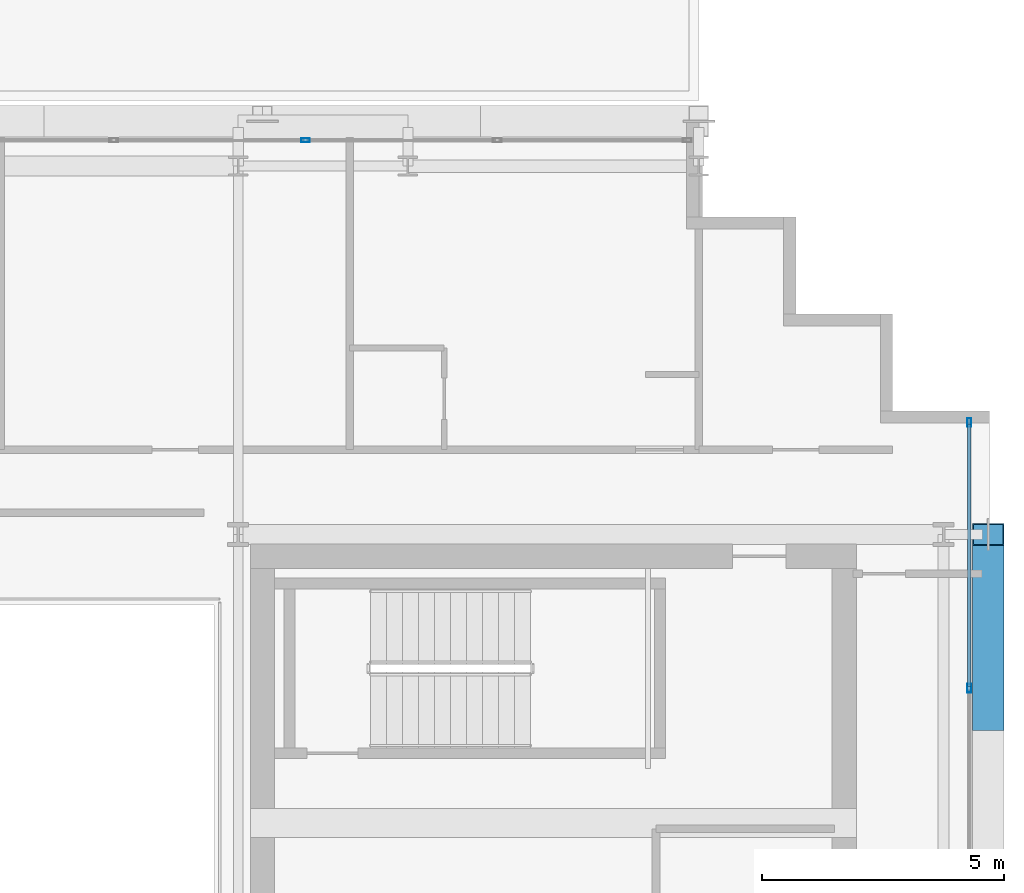
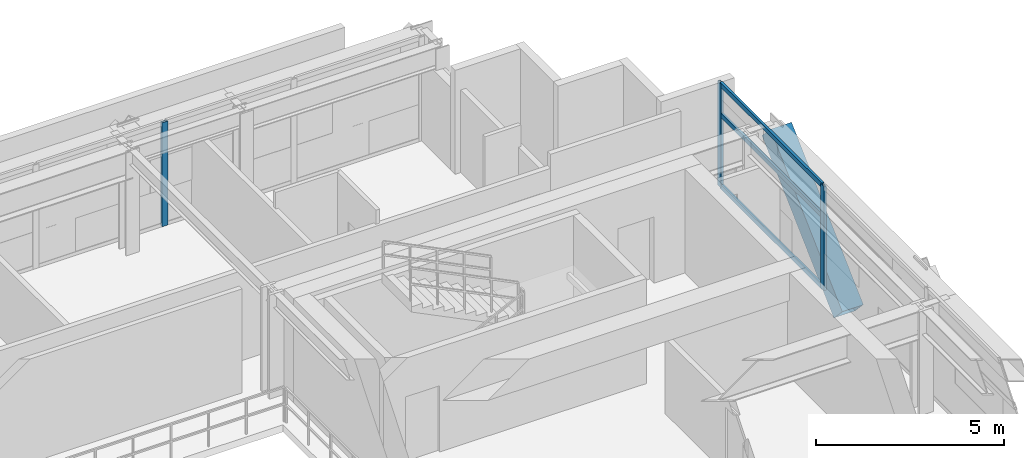
# One storey, part 20 of 34: 7 members, 2 elements without a shape of their own.
"""IFC4 building model written with IfcOpenShell, lengths in metres."""

from ifc_helpers import new_model, si_unit, direction, frame, origin, origin_2d, place, context, subcontext, project, spatial, hollow_rectangle, extrude, source, transform, mapped, material, layer, layer_set, material_profile, profile_set, type_object, element, aggregate, save


model = new_model("IFC4")

# Units and contexts
model_context = context("Model", 3, precision=1e-05, world=origin(), true_north=direction((0.0, 1.0)))
body_context = subcontext(model_context, "Body", "Model", "MODEL_VIEW")
ifc_project = project(units=[si_unit("LENGTHUNIT", "METRE"), si_unit("AREAUNIT", "SQUARE_METRE"), si_unit("VOLUMEUNIT", "CUBIC_METRE"), si_unit("PLANEANGLEUNIT", "RADIAN"), si_unit("MASSUNIT", "GRAM", prefix="KILO")], contexts=[model_context])

# Site, building, storey
site_placement = place(None, origin())
site = spatial("IfcSite", under=ifc_project, at=site_placement, CompositionType="ELEMENT")
building_placement = place(site_placement, origin())
building = spatial("IfcBuilding", under=site, at=building_placement, Name="Ocotamira Hotel", CompositionType="ELEMENT")
storey_placement = place(building_placement, frame((0.0, 0.0, 163.199951171875)))
storey = spatial("IfcBuildingStorey", under=building, at=storey_placement, Name="L40", CompositionType="ELEMENT", Elevation=163.199951171875)

# Member
ifc_material_1 = material(Name="Pale-metal coated steel ASTM A913 Grade 65", Category="steel")
ifc_material_profile_1 = material_profile(ifc_material_1, hollow_rectangle(XDim=0.64990234375, YDim=0.64990234375, WallThickness=0.02197265625, at=origin_2d()), Name="BOX650X650X22")
ifc_profile_set_1 = profile_set([ifc_material_profile_1], Name="Pale-metal coated steel ASTM A913 Grade 65")
member_type_1 = type_object("IfcMemberType", Name="MEM-EXO-BOX650", PredefinedType="BRACE", material=ifc_profile_set_1)
shared_shape_1 = source(origin(), body_context, "Body", "SweptSolid", [
    extrude(hollow_rectangle(XDim=0.64990234375, YDim=0.64990234375, WallThickness=0.02197265625, at=origin_2d()), origin(), (0.0, 0.0, 1.0), 5.24658203125),
])
member_1_placement = place(storey_placement, frame((55.969970703125, 33.63330078125, -0.47998046875), z_axis=(0.0, 0.727442733726, 0.686168397078), x_axis=(-1.0, 0.0, 0.0)))
element("IfcMember", 1, at=member_1_placement, inside=storey, type_object=member_type_1, Name="L40 Exoskeleton Diagrid E2.2", PredefinedType="BRACE", context=body_context, shape_type="MappedRepresentation", body=[
    mapped(shared_shape_1, transform((0.0, 0.0, 0.0), scale=1.0)),
])

# Curtain wall, member
ifc_material_2 = material(Name="Anodised pale-metal aluminium and solar glass", Category="aluminium")
ifc_layer = layer(ifc_material_2, 0.199951171875)
ifc_layer_set = layer_set([ifc_layer], Name="Anodised pale-metal aluminium and solar glass")
curtain_wall_type = type_object("IfcCurtainWallType", Name="CW-SYS4-Z3", PredefinedType="NOTDEFINED", material=ifc_layer_set)
curtain_wall_1_placement = place(storey_placement, origin())
curtain_wall_1 = element("IfcCurtainWall", 2, at=curtain_wall_1_placement, inside=storey, type_object=curtain_wall_type, Name="L40 Curtain Wall CW-4 CW-L40-N", PredefinedType="NOTDEFINED")
ifc_material_3 = material(Name="Anodised pale-metal aluminium 6063-T6", Category="aluminium")
ifc_material_profile_2 = material_profile(ifc_material_3, hollow_rectangle(XDim=0.080078125, YDim=0.179931640625, WallThickness=0.006103515625, at=origin_2d()), Name="HSS180X80X6")
ifc_profile_set_2 = profile_set([ifc_material_profile_2], Name="Anodised pale-metal aluminium 6063-T6")
member_type_2 = type_object("IfcMemberType", Name="CWM-180X75", PredefinedType="MULLION", material=ifc_profile_set_2)
shared_shape_2 = source(origin(), body_context, "Body", "SweptSolid", [
    extrude(hollow_rectangle(XDim=0.080078125, YDim=0.179931640625, WallThickness=0.006103515625, at=origin_2d()), origin(), (0.0, 0.0, 1.0), 3.3701171875),
])
member_2_placement = place(storey_placement, frame((41.888916015625, 45.580078125, 0.0), z_axis=(0.0, 0.0, 1.0), x_axis=(0.0, 1.0, 0.0)))
member_2 = element("IfcMember", 3, at=member_2_placement, type_object=member_type_2, Name="CW-4 mullion 8", PredefinedType="MULLION", context=body_context, shape_type="MappedRepresentation", body=[
    mapped(shared_shape_2, transform((0.0, 0.0, 0.0), scale=1.0)),
])
aggregate(curtain_wall_1, [member_2])

# Curtain wall, members
curtain_wall_2_placement = place(storey_placement, origin())
curtain_wall_2 = element("IfcCurtainWall", 4, at=curtain_wall_2_placement, inside=storey, type_object=curtain_wall_type, Name="L40 Curtain Wall CW-4 CW-L40-E", PredefinedType="NOTDEFINED")
member_3_placement = place(storey_placement, frame((55.580078125, 34.280029296875, 0.0), z_axis=(0.0, 0.0, 1.0), x_axis=(-1.0, 0.0, 0.0)))
member_3 = element("IfcMember", 5, at=member_3_placement, type_object=member_type_2, Name="CW-4 mullion 5", PredefinedType="MULLION", context=body_context, shape_type="MappedRepresentation", body=[
    mapped(shared_shape_2, transform((0.0, 0.0, 0.0), scale=1.0)),
])
member_4_placement = place(storey_placement, frame((55.580078125, 39.760009765625, 0.0), z_axis=(0.0, 0.0, 1.0), x_axis=(-1.0, 0.0, 0.0)))
member_4 = element("IfcMember", 6, at=member_4_placement, type_object=member_type_2, Name="CW-4 mullion 6", PredefinedType="MULLION", context=body_context, shape_type="MappedRepresentation", body=[
    mapped(shared_shape_2, transform((0.0, 0.0, 0.0), scale=1.0)),
])
ifc_material_profile_3 = material_profile(ifc_material_3, hollow_rectangle(XDim=0.074951171875, YDim=0.14990234375, WallThickness=0.006103515625, at=origin_2d()), Name="HSS150X75X6")
ifc_profile_set_3 = profile_set([ifc_material_profile_3], Name="Anodised pale-metal aluminium 6063-T6")
member_type_3 = type_object("IfcMemberType", Name="CWT-150X75", PredefinedType="USERDEFINED", material=ifc_profile_set_3)
shared_shape_3 = source(origin(), body_context, "Body", "SweptSolid", [
    extrude(hollow_rectangle(XDim=0.074951171875, YDim=0.14990234375, WallThickness=0.006103515625, at=origin_2d()), origin(), (0.0, 0.0, 1.0), 5.39990234375),
])
member_5_placement = place(storey_placement, frame((55.580078125, 34.320068359375, 0.03759765625), z_axis=(0.0, 1.0, 0.0), x_axis=(-1.0, 0.0, 0.0)))
member_5 = element("IfcMember", 7, at=member_5_placement, type_object=member_type_3, Name="CW-4 transom 5.1", ObjectType="TRANSOM", PredefinedType="USERDEFINED", context=body_context, shape_type="MappedRepresentation", body=[
    mapped(shared_shape_3, transform((0.0, 0.0, 0.0), scale=1.0)),
])
member_6_placement = place(storey_placement, frame((55.580078125, 34.320068359375, 2.35009765625), z_axis=(0.0, 1.0, 0.0), x_axis=(-1.0, 0.0, 0.0)))
member_6 = element("IfcMember", 8, at=member_6_placement, type_object=member_type_3, Name="CW-4 transom 5.2", ObjectType="TRANSOM", PredefinedType="USERDEFINED", context=body_context, shape_type="MappedRepresentation", body=[
    mapped(shared_shape_3, transform((0.0, 0.0, 0.0), scale=1.0)),
])
member_7_placement = place(storey_placement, frame((55.580078125, 34.320068359375, 3.33251953125), z_axis=(0.0, 1.0, 0.0), x_axis=(-1.0, 0.0, 0.0)))
member_7 = element("IfcMember", 9, at=member_7_placement, type_object=member_type_3, Name="CW-4 transom 5.3", ObjectType="TRANSOM", PredefinedType="USERDEFINED", context=body_context, shape_type="MappedRepresentation", body=[
    mapped(shared_shape_3, transform((0.0, 0.0, 0.0), scale=1.0)),
])
aggregate(curtain_wall_2, [member_3, member_4, member_5, member_6, member_7])

save(model, "model.ifc")
